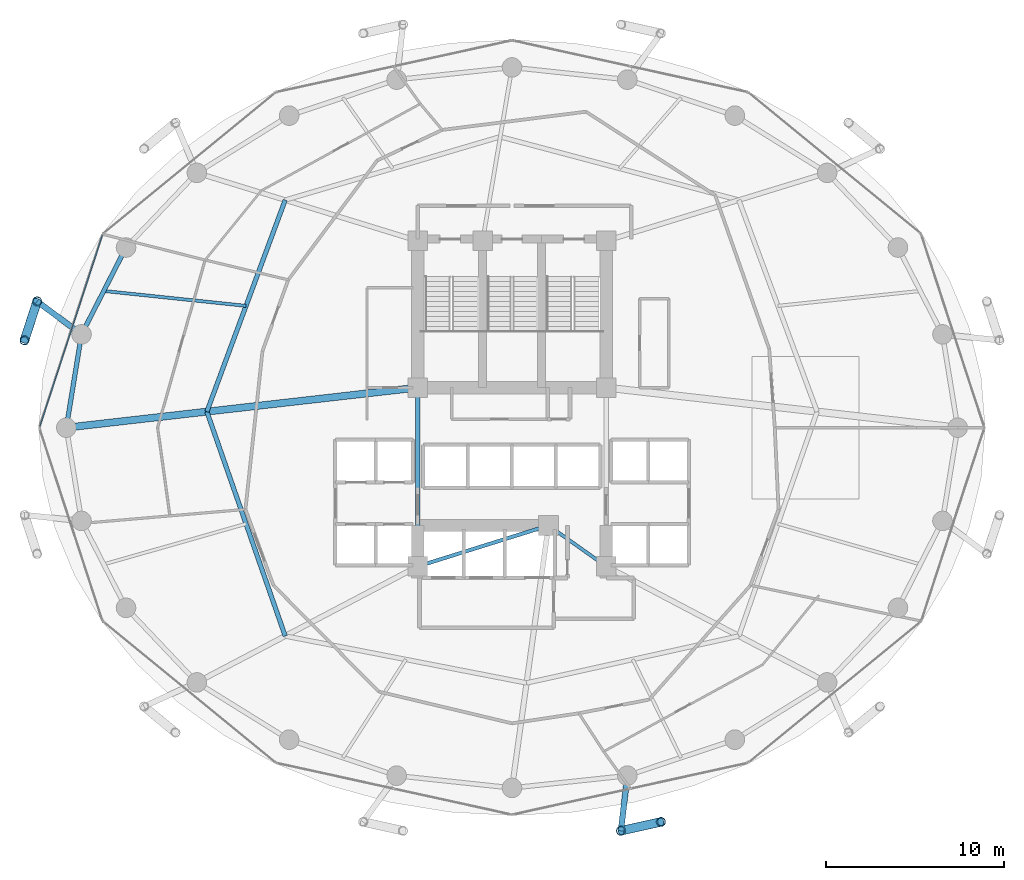
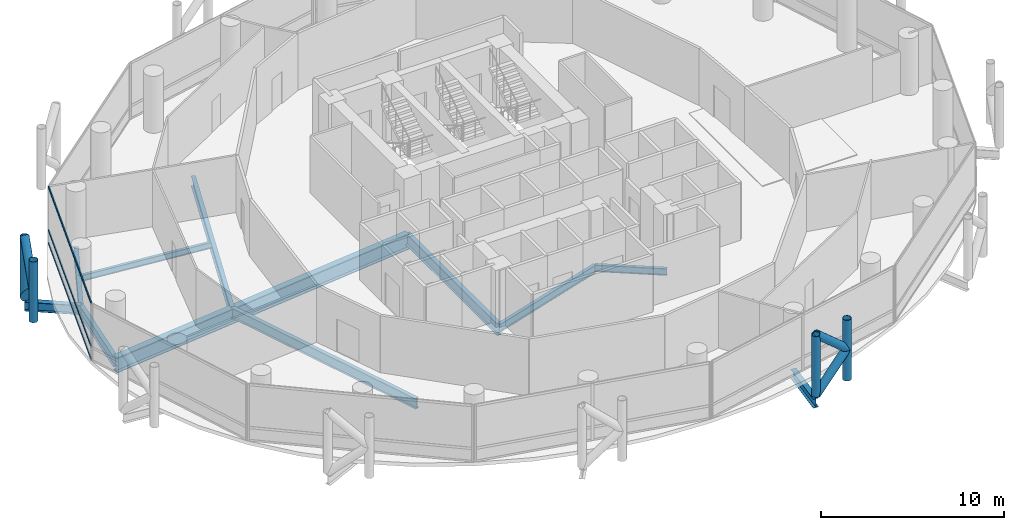
# One storey, part 7 of 24: 11 beams, 11 members, 1 element without a shape of its own.
"""IFC4 building model written with IfcOpenShell, lengths in metres."""

from ifc_helpers import new_model, si_unit, direction, frame, origin, origin_2d, place, context, subcontext, project, spatial, hollow_rectangle, hollow_circle, i_section, extrude, material, layer, layer_set, material_profile, profile_set, type_object, element, aggregate, save


model = new_model("IFC4")

# Units and contexts
model_context = context("Model", 3, precision=1e-05, world=origin(), true_north=direction((0.0, 1.0)))
body_context = subcontext(model_context, "Body", "Model", "MODEL_VIEW")
ifc_project = project(units=[si_unit("LENGTHUNIT", "METRE"), si_unit("AREAUNIT", "SQUARE_METRE"), si_unit("VOLUMEUNIT", "CUBIC_METRE"), si_unit("PLANEANGLEUNIT", "RADIAN"), si_unit("MASSUNIT", "GRAM", prefix="KILO")], contexts=[model_context])

# Site, building, storey
site_placement = place(None, origin())
site = spatial("IfcSite", under=ifc_project, at=site_placement, CompositionType="ELEMENT")
building_placement = place(site_placement, origin())
building = spatial("IfcBuilding", under=site, at=building_placement, Name="Nuhasar Tower", CompositionType="ELEMENT")
storey_placement = place(building_placement, frame((0.0, 0.0, 85.800048828125)))
storey = spatial("IfcBuildingStorey", under=building, at=storey_placement, Name="L20", CompositionType="ELEMENT", Elevation=85.800048828125)

# Beams
ifc_material_1 = material(Name="Steel S355", Category="steel")
ifc_material_profile_1 = material_profile(ifc_material_1, i_section(OverallWidth=0.25390625, OverallDepth=0.68408203125, WebThickness=0.012451171875, FlangeThickness=0.018798828125, at=origin_2d()), Name="W27X94")
ifc_profile_set_1 = profile_set([ifc_material_profile_1], Name="Steel S355")
beam_type_1 = type_object("IfcBeamType", Name="BM-INRING-W27X94", PredefinedType="BEAM", material=ifc_profile_set_1)
beam_1_placement = place(storey_placement, frame((26.251953125, 39.591064453125, -0.592041015625), z_axis=(-0.34715757476, -0.937806812881, 0.0), x_axis=(0.937806812881, -0.34715757476, 0.0)))
element("IfcBeam", 1, at=beam_1_placement, inside=storey, type_object=beam_type_1, Name="L20 Inner Header Beam 07", PredefinedType="BEAM", context=body_context, shape_type="SweptSolid", body=[
    extrude(i_section(OverallWidth=0.25390625, OverallDepth=0.68408203125, WebThickness=0.012451171875, FlangeThickness=0.018798828125, at=origin_2d()), origin(), (0.0, 0.0, 1.0), 12.6796875),
])
beam_2_placement = place(storey_placement, frame((21.85009765625, 27.699951171875, -0.592041015625), z_axis=(0.329554049858, -0.944136710558, 0.0), x_axis=(0.944136710558, 0.329554049858, 0.0)))
element("IfcBeam", 2, at=beam_2_placement, inside=storey, type_object=beam_type_1, Name="L20 Inner Header Beam 08", PredefinedType="BEAM", context=body_context, shape_type="SweptSolid", body=[
    extrude(i_section(OverallWidth=0.25390625, OverallDepth=0.68408203125, WebThickness=0.012451171875, FlangeThickness=0.018798828125, at=origin_2d()), origin(), (0.0, 0.0, 1.0), 13.35693359375),
])
ifc_material_profile_2 = material_profile(ifc_material_1, i_section(OverallWidth=0.177978515625, OverallDepth=0.406005859375, WebThickness=0.0078125, FlangeThickness=0.0126953125, at=origin_2d()), Name="W16X40")
ifc_profile_set_2 = profile_set([ifc_material_profile_2], Name="Steel S355")
beam_type_2 = type_object("IfcBeamType", Name="BM-JST-W16X40", PredefinedType="JOIST", material=ifc_profile_set_2)
beam_3_placement = place(storey_placement, frame((24.051025390625, 33.64501953125, -0.453125), z_axis=(-0.994554594377, 0.104216883485, 0.0), x_axis=(-0.104216883485, -0.994554594377, 0.0)))
element("IfcBeam", 3, at=beam_3_placement, inside=storey, type_object=beam_type_2, Name="L20 Secondary Floor Joist 07", PredefinedType="JOIST", context=body_context, shape_type="SweptSolid", body=[
    extrude(i_section(OverallWidth=0.177978515625, OverallDepth=0.406005859375, WebThickness=0.0078125, FlangeThickness=0.0126953125, at=origin_2d()), origin(), (0.0, 0.0, 1.0), 8.039794921875),
])
ifc_material_profile_3 = material_profile(ifc_material_1, i_section(OverallWidth=0.18994140625, OverallDepth=0.45703125, WebThickness=0.009033203125, FlangeThickness=0.014404296875, at=origin_2d()), Name="W18X50")
ifc_profile_set_3 = profile_set([ifc_material_profile_3], Name="Steel S355")
beam_type_3 = type_object("IfcBeamType", Name="BM-RAD-W18X50", PredefinedType="BEAM", material=ifc_profile_set_3)
beam_4_placement = place(storey_placement, frame((41.050048828125, 21.300048828125, -0.47802734375), z_axis=(0.816265428953, -0.577677028708, 0.0), x_axis=(0.577677028708, 0.816265428953, 0.0)))
element("IfcBeam", 4, at=beam_4_placement, inside=storey, type_object=beam_type_3, Name="L20 Core Ring Girder 2", PredefinedType="BEAM", context=body_context, shape_type="SweptSolid", body=[
    extrude(i_section(OverallWidth=0.18994140625, OverallDepth=0.45703125, WebThickness=0.009033203125, FlangeThickness=0.014404296875, at=origin_2d()), origin(), (0.0, 0.0, 1.0), 3.9814453125),
])
ifc_material_profile_4 = material_profile(ifc_material_1, i_section(OverallWidth=0.208984375, OverallDepth=0.532958984375, WebThickness=0.01025390625, FlangeThickness=0.015625, at=origin_2d()), Name="W21X62")
ifc_profile_set_4 = profile_set([ifc_material_profile_4], Name="Steel S355")
beam_type_4 = type_object("IfcBeamType", Name="BM-RAD-W21X62", PredefinedType="BEAM", material=ifc_profile_set_4)
beam_5_placement = place(storey_placement, frame((33.699951171875, 19.0, -0.51611328125), z_axis=(0.954363709454, 0.298646798205, 0.0), x_axis=(-0.298646798205, 0.954363709454, 0.0)))
element("IfcBeam", 5, at=beam_5_placement, inside=storey, type_object=beam_type_4, Name="L20 Core Ring Girder 1", PredefinedType="BEAM", context=body_context, shape_type="SweptSolid", body=[
    extrude(i_section(OverallWidth=0.208984375, OverallDepth=0.532958984375, WebThickness=0.01025390625, FlangeThickness=0.015625, at=origin_2d()), origin(), (0.0, 0.0, 1.0), 7.70166015625),
])
ifc_material_profile_5 = material_profile(ifc_material_1, i_section(OverallWidth=0.26611328125, OverallDepth=0.779052734375, WebThickness=0.0166015625, FlangeThickness=0.030029296875, at=origin_2d()), Name="W30X148")
ifc_profile_set_5 = profile_set([ifc_material_profile_5], Name="Steel S355")
beam_type_5 = type_object("IfcBeamType", Name="BM-RAD-W30X148", PredefinedType="BEAM", material=ifc_profile_set_5)
beam_6_placement = place(storey_placement, frame((33.699951171875, 29.050048828125, -0.64013671875), z_axis=(0.0, -1.0, 0.0), x_axis=(1.0, 0.0, 0.0)))
element("IfcBeam", 6, at=beam_6_placement, inside=storey, type_object=beam_type_5, Name="L20 Core Ring Girder 8", PredefinedType="BEAM", context=body_context, shape_type="SweptSolid", body=[
    extrude(i_section(OverallWidth=0.26611328125, OverallDepth=0.779052734375, WebThickness=0.0166015625, FlangeThickness=0.030029296875, at=origin_2d()), origin(), (0.0, 0.0, 1.0), 10.050048828125),
])
ifc_material_profile_6 = material_profile(ifc_material_1, i_section(OverallWidth=0.256103515625, OverallDepth=0.693115234375, WebThickness=0.014404296875, FlangeThickness=0.023681640625, at=origin_2d()), Name="W27X114")
ifc_profile_set_6 = profile_set([ifc_material_profile_6], Name="Steel S355")
beam_type_6 = type_object("IfcBeamType", Name="BM-RING-W27X114", PredefinedType="SPANDREL", material=ifc_profile_set_6)
beam_7_placement = place(storey_placement, frame((17.305908203125, 36.925048828125, -0.59716796875), z_axis=(-0.455930023905, -0.890015625314, 0.0), x_axis=(0.890015625314, -0.455930023905, 0.0)))
element("IfcBeam", 7, at=beam_7_placement, inside=storey, type_object=beam_type_6, Name="L20 Perimeter Ring Spandrel 11", PredefinedType="SPANDREL", context=body_context, shape_type="SweptSolid", body=[
    extrude(i_section(OverallWidth=0.256103515625, OverallDepth=0.693115234375, WebThickness=0.014404296875, FlangeThickness=0.023681640625, at=origin_2d()), origin(), (0.0, 0.0, 1.0), 5.487548828125),
])
beam_8_placement = place(storey_placement, frame((14.803955078125, 32.041015625, -0.59716796875), z_axis=(-0.160826635486, -0.986982671235, 0.0), x_axis=(0.986982671235, -0.160826635486, 0.0)))
element("IfcBeam", 8, at=beam_8_placement, inside=storey, type_object=beam_type_6, Name="L20 Perimeter Ring Spandrel 12", PredefinedType="SPANDREL", context=body_context, shape_type="SweptSolid", body=[
    extrude(i_section(OverallWidth=0.256103515625, OverallDepth=0.693115234375, WebThickness=0.014404296875, FlangeThickness=0.023681640625, at=origin_2d()), origin(), (0.0, 0.0, 1.0), 5.31005859375),
])
ifc_material_profile_7 = material_profile(ifc_material_1, i_section(OverallWidth=0.323974609375, OverallDepth=0.611083984375, WebThickness=0.0126953125, FlangeThickness=0.01904296875, at=origin_2d()), Name="W24X104")
ifc_profile_set_7 = profile_set([ifc_material_profile_7], Name="Steel S355")
beam_type_7 = type_object("IfcBeamType", Name="BM-TIE-W24X104", PredefinedType="BEAM", material=ifc_profile_set_7)
beam_9_placement = place(storey_placement, frame((14.803955078125, 32.041015625, -0.554931640625), z_axis=(-0.802151061326, 0.597121155892, 0.0), x_axis=(-0.597121155892, -0.802151061326, 0.0)))
element("IfcBeam", 9, at=beam_9_placement, inside=storey, type_object=beam_type_7, Name="L20 Exoskeleton Node Tie Beam 06", PredefinedType="BEAM", context=body_context, shape_type="SweptSolid", body=[
    extrude(i_section(OverallWidth=0.323974609375, OverallDepth=0.611083984375, WebThickness=0.0126953125, FlangeThickness=0.01904296875, at=origin_2d()), origin(), (0.0, 0.0, 1.0), 3.111328125),
])
beam_10_placement = place(storey_placement, frame((45.48291015625, 7.239990234375, -0.554931640625), z_axis=(-0.115042934281, -0.993360520291, 0.0), x_axis=(0.993360520291, -0.115042934281, 0.0)))
element("IfcBeam", 10, at=beam_10_placement, inside=storey, type_object=beam_type_7, Name="L20 Exoskeleton Node Tie Beam 10", PredefinedType="BEAM", context=body_context, shape_type="SweptSolid", body=[
    extrude(i_section(OverallWidth=0.323974609375, OverallDepth=0.611083984375, WebThickness=0.0126953125, FlangeThickness=0.01904296875, at=origin_2d()), origin(), (0.0, 0.0, 1.0), 3.11962890625),
])
ifc_material_2 = material(Name="Steel S460", Category="steel")
ifc_material_profile_8 = material_profile(ifc_material_2, i_section(OverallWidth=0.40087890625, OverallDepth=1.010009765625, WebThickness=0.023681640625, FlangeThickness=0.0419921875, at=origin_2d()), Name="W40X297")
ifc_profile_set_8 = profile_set([ifc_material_profile_8], Name="Steel S460")
beam_type_8 = type_object("IfcBeamType", Name="BM-XFER-W40X297", PredefinedType="USERDEFINED", material=ifc_profile_set_8)
beam_11_placement = place(storey_placement, frame((33.699951171875, 29.050048828125, -0.755126953125), z_axis=(-0.993573147212, -0.113191877531, 0.0), x_axis=(0.113191877531, -0.993573147212, 0.0)))
element("IfcBeam", 11, at=beam_11_placement, inside=storey, type_object=beam_type_8, Name="L20 Radial Floor Girder 08", ObjectType="GIRDER", PredefinedType="USERDEFINED", context=body_context, shape_type="SweptSolid", body=[
    extrude(i_section(OverallWidth=0.40087890625, OverallDepth=1.010009765625, WebThickness=0.023681640625, FlangeThickness=0.0419921875, at=origin_2d()), origin(), (0.0, 0.0, 1.0), 19.877685546875),
])

# Curtain wall, members
ifc_material_3 = material(Name="Aluminium 6063-T6", Category="aluminium")
ifc_layer = layer(ifc_material_3, 0.199951171875)
ifc_layer_set = layer_set([ifc_layer], Name="Aluminium 6063-T6")
curtain_wall_type = type_object("IfcCurtainWallType", Name="CW-Z1-OFF", PredefinedType="NOTDEFINED", material=ifc_layer_set)
curtain_wall_placement = place(storey_placement, origin())
curtain_wall = element("IfcCurtainWall", 12, at=curtain_wall_placement, inside=storey, type_object=curtain_wall_type, Name="L20 Unitised Curtain Wall 06", PredefinedType="NOTDEFINED")
ifc_material_profile_9 = material_profile(ifc_material_3, hollow_rectangle(XDim=0.06494140625, YDim=0.14990234375, WallThickness=0.00439453125, at=origin_2d()), Name="CWT-2")
ifc_profile_set_9 = profile_set([ifc_material_profile_9], Name="Aluminium 6063-T6")
member_type_1 = type_object("IfcMemberType", Name="CW-TRN-S2", PredefinedType="USERDEFINED", material=ifc_profile_set_9)
member_1_placement = place(storey_placement, frame((15.977783203125, 37.6181640625, 0.032470703125), z_axis=(-0.31082506089, -0.950467138581, 0.0), x_axis=(0.950467138581, -0.31082506089, 0.0)))
member_1 = element("IfcMember", 13, at=member_1_placement, type_object=member_type_1, Name="CW-Z1 transom 1.1", ObjectType="TRANSOM", PredefinedType="USERDEFINED", context=body_context, shape_type="SweptSolid", body=[
    extrude(hollow_rectangle(XDim=0.06494140625, YDim=0.14990234375, WallThickness=0.00439453125, at=origin_2d()), origin(), (0.0, 0.0, 1.0), 11.31689453125),
])
member_2_placement = place(storey_placement, frame((15.977783203125, 37.6181640625, 0.89990234375), z_axis=(-0.31082506089, -0.950467138581, 0.0), x_axis=(0.950467138581, -0.31082506089, 0.0)))
member_2 = element("IfcMember", 14, at=member_2_placement, type_object=member_type_1, Name="CW-Z1 transom 1.2", ObjectType="TRANSOM", PredefinedType="USERDEFINED", context=body_context, shape_type="SweptSolid", body=[
    extrude(hollow_rectangle(XDim=0.06494140625, YDim=0.14990234375, WallThickness=0.00439453125, at=origin_2d()), origin(), (0.0, 0.0, 1.0), 11.31689453125),
])
member_3_placement = place(storey_placement, frame((15.977783203125, 37.6181640625, 3.767333984375), z_axis=(-0.31082506089, -0.950467138581, 0.0), x_axis=(0.950467138581, -0.31082506089, 0.0)))
member_3 = element("IfcMember", 15, at=member_3_placement, type_object=member_type_1, Name="CW-Z1 transom 1.3", ObjectType="TRANSOM", PredefinedType="USERDEFINED", context=body_context, shape_type="SweptSolid", body=[
    extrude(hollow_rectangle(XDim=0.06494140625, YDim=0.14990234375, WallThickness=0.00439453125, at=origin_2d()), origin(), (0.0, 0.0, 1.0), 11.31689453125),
])
aggregate(curtain_wall, [member_1, member_2, member_3])

# Members
ifc_material_profile_10 = material_profile(ifc_material_2, hollow_circle(Radius=0.25390625, WallThickness=0.025390625, at=origin_2d()), Name="HSS508X25.4")
ifc_profile_set_10 = profile_set([ifc_material_profile_10], Name="Steel S460")
member_type_2 = type_object("IfcMemberType", Name="EXO-BRONZE-508", PredefinedType="BRACE", material=ifc_profile_set_10)
for number, where, z_axis, x_axis, name in (
    (16, (12.30810546875, 33.89892578125, 0.0), (0.0, 0.0, 1.0), (1.0, 0.0, 0.0), "L20 Exoskeleton Chord Column EC-06A"),
    (17, (11.60009765625, 31.7099609375, 0.0), (0.0, 0.0, 1.0), (1.0, 0.0, 0.0), "L20 Exoskeleton Chord Column EC-06B"),
    (18, (45.1240234375, 4.14111328125, 0.0), (0.0, 0.0, 1.0), (1.0, 0.0, 0.0), "L20 Exoskeleton Chord Column EC-10A"),
    (19, (47.3701171875, 4.639892578125, 0.0), (0.0, 0.0, 1.0), (1.0, 0.0, 0.0), "L20 Exoskeleton Chord Column EC-10B"),
):
    element("IfcMember", number, at=place(storey_placement, frame(where, z_axis=z_axis, x_axis=x_axis)), inside=storey, type_object=member_type_2, Name=name, PredefinedType="BRACE", context=body_context, shape_type="SweptSolid", body=[
        extrude(hollow_circle(Radius=0.25390625, WallThickness=0.025390625, at=origin_2d()), origin(), (0.0, 0.0, 1.0), 4.050048828125),
    ])
member_4_placement = place(storey_placement, frame((12.30810546875, 33.89892578125, 0.0), z_axis=(-0.231011836313, -0.714224870475, 0.660693851854), x_axis=(0.951468282519, -0.307746823478, 0.0)))
element("IfcMember", 20, at=member_4_placement, inside=storey, type_object=member_type_2, Name="L20 Bronze Diagrid Brace W1-06", PredefinedType="BRACE", context=body_context, shape_type="SweptSolid", body=[
    extrude(hollow_circle(Radius=0.25390625, WallThickness=0.025390625, at=origin_2d()), origin(), (0.0, 0.0, 1.0), 3.064697265625),
])
for number, where, z_axis, x_axis, name in (
    (21, (11.60009765625, 31.7099609375, 2.02490234375), (0.230999678299, 0.714187281251, 0.660738734997), (-0.951468282519, 0.307746823478, 0.0), "L20 Bronze Diagrid Brace W2-06"),
    (22, (45.1240234375, 4.14111328125, 0.0), (0.732830973624, 0.162736269469, 0.66066305383), (-0.216784396973, 0.976219506683, 0.0), "L20 Bronze Diagrid Brace W1-10"),
):
    element("IfcMember", number, at=place(storey_placement, frame(where, z_axis=z_axis, x_axis=x_axis)), inside=storey, type_object=member_type_2, Name=name, PredefinedType="BRACE", context=body_context, shape_type="SweptSolid", body=[
        extrude(hollow_circle(Radius=0.25390625, WallThickness=0.025390625, at=origin_2d()), origin(), (0.0, 0.0, 1.0), 3.06494140625),
    ])
member_5_placement = place(storey_placement, frame((47.3701171875, 4.639892578125, 2.02490234375), z_axis=(-0.732792408767, -0.162727705556, 0.660707938122), x_axis=(0.216784396973, -0.976219506683, 0.0)))
element("IfcMember", 23, at=member_5_placement, inside=storey, type_object=member_type_2, Name="L20 Bronze Diagrid Brace W2-10", PredefinedType="BRACE", context=body_context, shape_type="SweptSolid", body=[
    extrude(hollow_circle(Radius=0.25390625, WallThickness=0.025390625, at=origin_2d()), origin(), (0.0, 0.0, 1.0), 3.065185546875),
])

save(model, "model.ifc")
